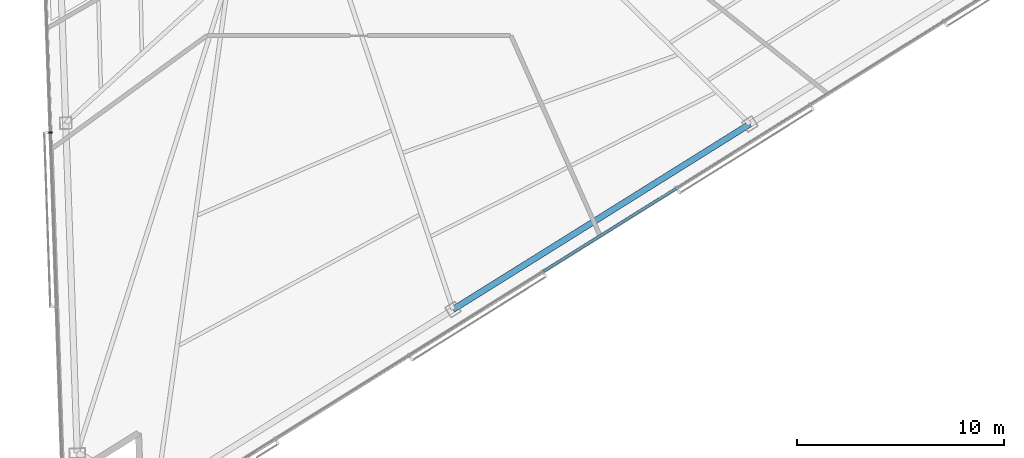
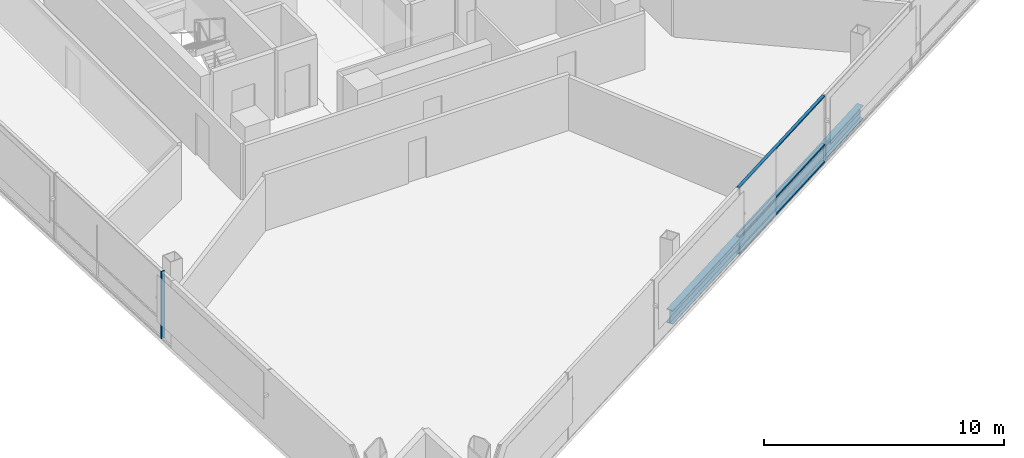
# One storey, part 3 of 18: 4 members, 1 beam, 2 elements without a shape of their own.
"""IFC4 building model written with IfcOpenShell, lengths in metres."""

from ifc_helpers import new_model, si_unit, direction, frame, origin, origin_2d, place, context, subcontext, project, spatial, rectangle, i_section, extrude, material, layer, layer_set, material_profile, profile_set, type_object, element, aggregate, save


model = new_model("IFC4")

# Units and contexts
model_context = context("Model", 3, precision=1e-05, world=origin(), true_north=direction((0.0, 1.0)))
body_context = subcontext(model_context, "Body", "Model", "MODEL_VIEW")
ifc_project = project(units=[si_unit("LENGTHUNIT", "METRE"), si_unit("AREAUNIT", "SQUARE_METRE"), si_unit("VOLUMEUNIT", "CUBIC_METRE"), si_unit("PLANEANGLEUNIT", "RADIAN"), si_unit("MASSUNIT", "GRAM", prefix="KILO")], contexts=[model_context])

# Site, building, storey
site_placement = place(None, origin())
site = spatial("IfcSite", under=ifc_project, at=site_placement, CompositionType="ELEMENT")
building_placement = place(site_placement, origin())
building = spatial("IfcBuilding", under=site, at=building_placement, Name="Tharavind Bronze Gate", CompositionType="ELEMENT")
storey_placement = place(building_placement, frame((0.0, 0.0, 153.199951171875)))
storey = spatial("IfcBuildingStorey", under=building, at=storey_placement, Name="L39", CompositionType="ELEMENT", Elevation=153.199951171875)

# Curtain wall, member
ifc_material_1 = material(Name="Anodised Bronze Aluminium", Category="aluminium")
ifc_layer = layer(ifc_material_1, 0.219970703125)
ifc_layer_set = layer_set([ifc_layer], Name="Anodised Bronze Aluminium")
curtain_wall_type = type_object("IfcCurtainWallType", Name="UNITISED CURTAIN WALL MID OFFICE", PredefinedType="USERDEFINED", material=ifc_layer_set)
curtain_wall_1_placement = place(storey_placement, origin())
curtain_wall_1 = element("IfcCurtainWall", 1, at=curtain_wall_1_placement, inside=storey, type_object=curtain_wall_type, Name="L39 unitised curtain wall mid office CW-L39-S1", ObjectType="UNITISED CURTAIN WALL", PredefinedType="USERDEFINED")
member_type_1 = type_object("IfcMemberType", Name="CURTAIN WALL BRONZE MULLION 65X180", PredefinedType="MULLION", material=ifc_material_1)
member_1_placement = place(storey_placement, frame((-17.545166015625, -15.273193359375, 0.0), z_axis=(0.0, 0.0, 1.0), x_axis=(0.034899496703, -0.999390827019, 0.0)))
member_1 = element("IfcMember", 2, at=member_1_placement, type_object=member_type_1, Name="CW-L39-S1 mullion 5", PredefinedType="MULLION", context=body_context, shape_type="SweptSolid", body=[
    extrude(rectangle(XDim=0.06494140625, YDim=0.179931640625, at=origin_2d()), origin(), (0.0, 0.0, 1.0), 3.409912109375),
])
aggregate(curtain_wall_1, [member_1])

# Curtain wall, members
curtain_wall_2_placement = place(storey_placement, origin())
curtain_wall_2 = element("IfcCurtainWall", 3, at=curtain_wall_2_placement, inside=storey, type_object=curtain_wall_type, Name="L39 unitised curtain wall mid office CW-L39-S2", ObjectType="UNITISED CURTAIN WALL", PredefinedType="USERDEFINED")
member_type_2 = type_object("IfcMemberType", Name="CURTAIN WALL BRONZE TRANSOM 65X140", PredefinedType="USERDEFINED", material=ifc_material_1)
member_2_placement = place(storey_placement, frame((9.485595703125, -19.97998046875, 0.0), z_axis=(0.0, 0.0, 1.0), x_axis=(0.848048096156, 0.529919264233, 0.0)))
member_2 = element("IfcMember", 4, at=member_2_placement, type_object=member_type_2, Name="CW-L39-S2 transom TB4", ObjectType="TRANSOM", PredefinedType="USERDEFINED", context=body_context, shape_type="SweptSolid", body=[
    extrude(rectangle(XDim=7.57080078125, YDim=0.139892578125, at=origin_2d()), origin(), (0.0, 0.0, 1.0), 0.06494140625),
])
member_3_placement = place(storey_placement, frame((9.485595703125, -19.97998046875, 0.86767578125), z_axis=(0.0, 0.0, 1.0), x_axis=(0.848048096156, 0.529919264233, 0.0)))
member_3 = element("IfcMember", 5, at=member_3_placement, type_object=member_type_2, Name="CW-L39-S2 transom TS4", ObjectType="TRANSOM", PredefinedType="USERDEFINED", context=body_context, shape_type="SweptSolid", body=[
    extrude(rectangle(XDim=7.57080078125, YDim=0.139892578125, at=origin_2d()), origin(), (0.0, 0.0, 1.0), 0.06494140625),
])
member_4_placement = place(storey_placement, frame((9.485595703125, -19.97998046875, 3.344970703125), z_axis=(0.0, 0.0, 1.0), x_axis=(0.848048096156, 0.529919264233, 0.0)))
member_4 = element("IfcMember", 6, at=member_4_placement, type_object=member_type_2, Name="CW-L39-S2 transom TT4", ObjectType="TRANSOM", PredefinedType="USERDEFINED", context=body_context, shape_type="SweptSolid", body=[
    extrude(rectangle(XDim=7.57080078125, YDim=0.139892578125, at=origin_2d()), origin(), (0.0, 0.0, 1.0), 0.06494140625),
])
aggregate(curtain_wall_2, [member_2, member_3, member_4])

# Beam
ifc_material_2 = material(Name="Steel S355", Category="steel")
ifc_material_profile = material_profile(ifc_material_2, i_section(OverallWidth=0.300048828125, OverallDepth=0.699951171875, WebThickness=0.01708984375, FlangeThickness=0.031982421875, at=origin_2d()), Name="HE700B")
ifc_profile_set = profile_set([ifc_material_profile], Name="Steel S355")
beam_type = type_object("IfcBeamType", Name="RING GIRDER HE700B", PredefinedType="USERDEFINED", material=ifc_profile_set)
beam_placement = place(storey_placement, frame((1.912353515625, -23.827880859375, -0.5400390625), z_axis=(0.848050170677, 0.529915944293, 0.0), x_axis=(-0.529915944293, 0.848050170677, 0.0)))
element("IfcBeam", 7, at=beam_placement, inside=storey, type_object=beam_type, Name="L39 ring girder he700b BM-L39-PRG06", ObjectType="GIRDER", PredefinedType="USERDEFINED", context=body_context, shape_type="SweptSolid", body=[
    extrude(i_section(OverallWidth=0.300048828125, OverallDepth=0.699951171875, WebThickness=0.01708984375, FlangeThickness=0.031982421875, at=origin_2d()), origin(), (0.0, 0.0, 1.0), 16.923095703125),
])

save(model, "model.ifc")
